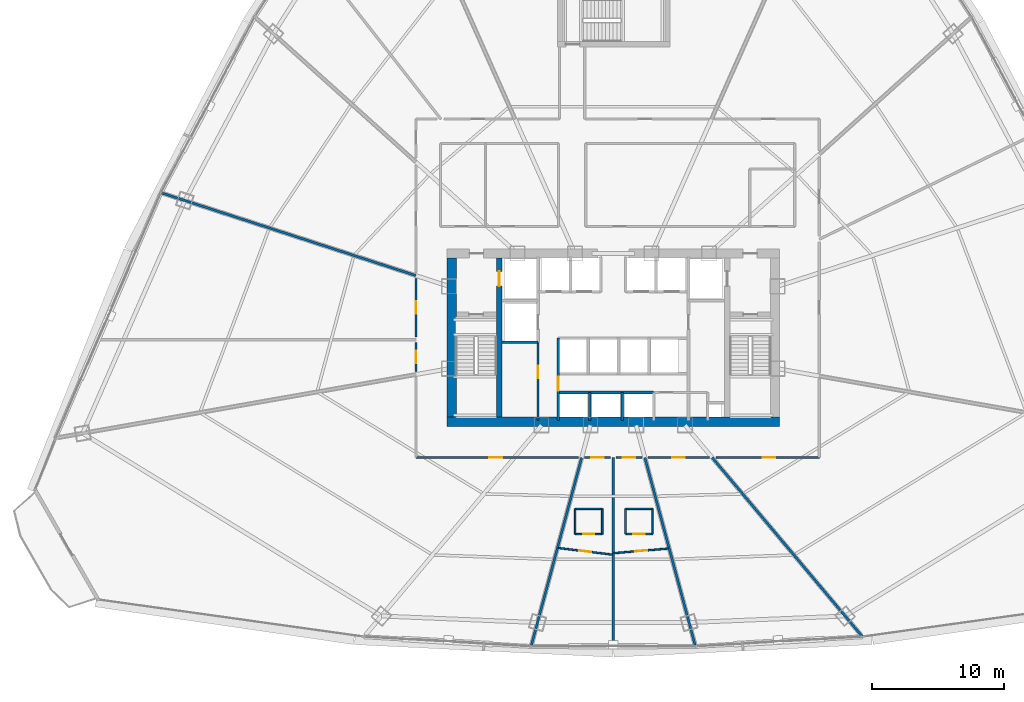
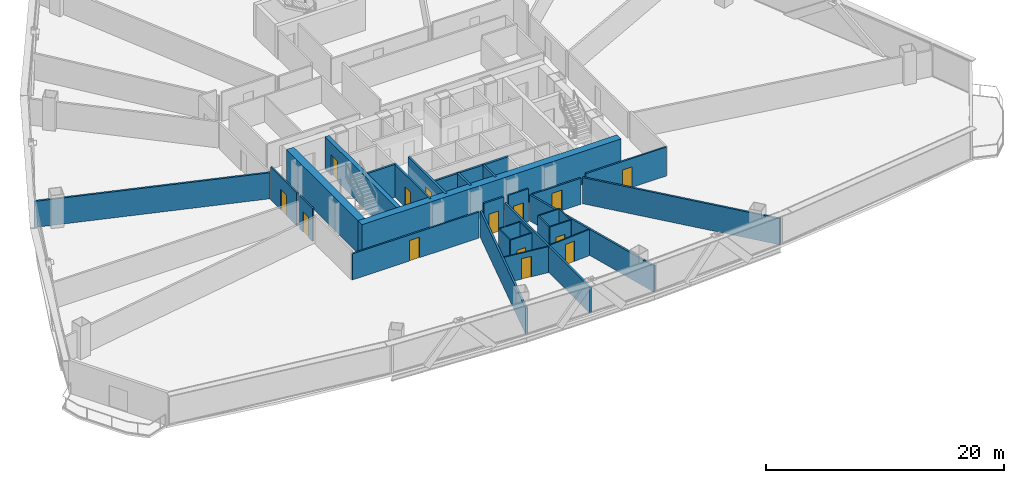
# One storey, part 30 of 38: 31 walls, 14 doors, 14 openings.
"""IFC4 building model written with IfcOpenShell, lengths in metres."""

from ifc_helpers import new_model, si_unit, direction, frame, frame_2d, origin, origin_with_axes, place, context, subcontext, project, spatial, rectangle, extrude, source, transform, mapped, material, layer, layer_set, type_object, element, fill, save


model = new_model("IFC4")

# Units and contexts
model_context = context("Model", 3, precision=1e-05, world=origin(), true_north=direction((0.0, 1.0)))
body_context = subcontext(model_context, "Body", "Model", "MODEL_VIEW")
ifc_project = project(units=[si_unit("LENGTHUNIT", "METRE"), si_unit("AREAUNIT", "SQUARE_METRE"), si_unit("VOLUMEUNIT", "CUBIC_METRE"), si_unit("PLANEANGLEUNIT", "RADIAN"), si_unit("MASSUNIT", "GRAM", prefix="KILO"), si_unit("THERMODYNAMICTEMPERATUREUNIT", "KELVIN"), si_unit("POWERUNIT", "WATT")], contexts=[model_context])

# Site, building, storey
site_placement = place(None, origin())
site = spatial("IfcSite", under=ifc_project, at=site_placement, CompositionType="ELEMENT")
building_placement = place(site_placement, origin())
building = spatial("IfcBuilding", under=site, at=building_placement, Name="Yunzhuo Pagoda Commons", CompositionType="ELEMENT")
storey_placement = place(building_placement, frame((0.0, 0.0, 37.659912109375)))
storey = spatial("IfcBuildingStorey", under=building, at=storey_placement, Name="L09", CompositionType="ELEMENT", Elevation=37.659912109375)

# Walls
ifc_material_1 = material(Name="Concrete C60", Category="concrete")
ifc_layer_1 = layer(ifc_material_1, 0.699951171875)
ifc_layer_set_1 = layer_set([ifc_layer_1], Name="Concrete C60")
wall_type_1 = type_object("IfcWallType", Name="W-C01 Lower Core Shear Wall 700", PredefinedType="SHEAR", material=ifc_layer_set_1)
wall_1_placement = place(storey_placement, frame((35.449951171875, 27.5, 0.0), z_axis=(0.0, 0.0, 1.0), x_axis=(1.0, 0.0, 0.0)))
element("IfcWall", 1, at=wall_1_placement, inside=storey, type_object=wall_type_1, Name="L09 core shear wall S", PredefinedType="SHEAR", context=body_context, shape_type="SweptSolid", body=[
    extrude(rectangle(XDim=25.10009765625, YDim=0.699951171875, at=frame_2d((12.550048828125, 0.0))), origin(), (0.0, 0.0, 1.0), 3.3701171875),
])
wall_2_placement = place(storey_placement, frame((35.800048828125, 27.85009765625, 0.0), z_axis=(0.0, 0.0, 1.0), x_axis=(0.0, 1.0, 0.0)))
element("IfcWall", 2, at=wall_2_placement, inside=storey, type_object=wall_type_1, Name="L09 core shear wall W", PredefinedType="SHEAR", context=body_context, shape_type="SweptSolid", body=[
    extrude(rectangle(XDim=12.0, YDim=0.699951171875, at=frame_2d((6.0, 0.0))), origin(), (0.0, 0.0, 1.0), 3.3701171875),
])

# Wall, opening, door
ifc_material_2 = material(Name="Gypsum plasterboard on acoustic stud")
ifc_layer_2 = layer(ifc_material_2, 0.159912109375)
ifc_layer_set_2 = layer_set([ifc_layer_2], Name="Gypsum plasterboard on acoustic stud")
wall_type_2 = type_object("IfcWallType", Name="W-COR1 Tower Rated Corridor Wall 160", PredefinedType="PARTITIONING", material=ifc_layer_set_2)
wall_3_placement = place(storey_placement, frame((42.320068359375, 27.60009765625, 0.0), z_axis=(0.0, 0.0, 1.0), x_axis=(0.0, 1.0, 0.0)))
wall_3 = element("IfcWall", 3, at=wall_3_placement, inside=storey, type_object=wall_type_2, Name="L09 interior wall IW-L09-CSWE", PredefinedType="PARTITIONING", context=body_context, shape_type="SweptSolid", body=[
    extrude(rectangle(XDim=5.89990234375, YDim=0.159912109375, at=frame_2d((2.949951171875, 0.0))), origin(), (0.0, 0.0, 1.0), 3.3701171875),
])
opening_1_placement = place(wall_3_placement, frame((3.199951171875, 0.0, 0.0)))
opening_1 = element("IfcOpeningElement", 4, at=opening_1_placement, cuts=wall_3, Name="Opening D-11", PredefinedType="OPENING", context=body_context, shape_type="SweptSolid", body=[
    extrude(rectangle(XDim=0.93994140625, YDim=2.10009765625, at=frame_2d((0.469970703125, 1.050048828125))), frame((0.0, 0.08984375, 0.0), z_axis=(0.0, -1.0, 0.0), x_axis=(1.0, 0.0, 0.0)), (0.0, 0.0, 1.0), 0.179931640625),
])
ifc_material_3 = material(Name="Galvanized fire-resisting metal leaf")
door_type_1 = type_object("IfcDoorType", Name="D-11 Accessible Washroom Fire Door 940x2100", OperationType="NOTDEFINED", PredefinedType="DOOR", material=ifc_material_3)
shared_shape_1 = source(origin(), body_context, "Body", "SweptSolid", [
    extrude(rectangle(XDim=0.93994140625, YDim=2.10009765625, at=frame_2d((0.469970703125, 1.050048828125))), frame((0.0, 0.02490234375, 0.0), z_axis=(0.0, -1.0, 0.0), x_axis=(1.0, 0.0, 0.0)), (0.0, 0.0, 1.0), 0.050048828125),
])
door_1_placement = place(opening_1_placement, origin_with_axes())
door_1 = element("IfcDoor", 5, at=door_1_placement, inside=storey, type_object=door_type_1, Name="L09 core WC door", OperationType="SINGLE_SWING_LEFT", OverallHeight=2.10009765625, OverallWidth=0.93994140625, PredefinedType="DOOR", context=body_context, shape_type="MappedRepresentation", body=[
    mapped(shared_shape_1, transform((0.0, 0.0, 0.0), scale=1.0)),
])
fill(opening_1, door_1)

wall_4_placement = place(storey_placement, frame((33.10009765625, 31.29248046875, 0.0), z_axis=(0.0, 0.0, 1.0), x_axis=(0.0, 1.0, 0.0)))
wall_4 = element("IfcWall", 6, at=wall_4_placement, inside=storey, type_object=wall_type_2, Name="L09 interior wall IW-L09-CWL02", PredefinedType="PARTITIONING", context=body_context, shape_type="SweptSolid", body=[
    extrude(rectangle(XDim=2.1875, YDim=0.159912109375, at=frame_2d((1.09375, 0.0))), origin(), (0.0, 0.0, 1.0), 3.3701171875),
])
opening_2_placement = place(wall_4_placement, frame((0.618896484375, 0.0, 0.0)))
opening_2 = element("IfcOpeningElement", 7, at=opening_2_placement, cuts=wall_4, Name="Opening D-06", PredefinedType="OPENING", context=body_context, shape_type="SweptSolid", body=[
    extrude(rectangle(XDim=0.949951171875, YDim=2.10009765625, at=frame_2d((0.47509765625, 1.050048828125))), frame((0.0, 0.08984375, 0.0), z_axis=(0.0, -1.0, 0.0), x_axis=(1.0, 0.0, 0.0)), (0.0, 0.0, 1.0), 0.179931640625),
])
door_type_2 = type_object("IfcDoorType", Name="D-06 Co-Living Suite Entrance Fire Door 950x2100", OperationType="NOTDEFINED", PredefinedType="DOOR", material=ifc_material_3)
shared_shape_2 = source(origin(), body_context, "Body", "SweptSolid", [
    extrude(rectangle(XDim=0.949951171875, YDim=2.10009765625, at=frame_2d((0.47509765625, 1.050048828125))), frame((0.0, 0.02490234375, 0.0), z_axis=(0.0, -1.0, 0.0), x_axis=(1.0, 0.0, 0.0)), (0.0, 0.0, 1.0), 0.050048828125),
])
door_2_placement = place(opening_2_placement, origin_with_axes())
door_2 = element("IfcDoor", 8, at=door_2_placement, inside=storey, type_object=door_type_2, Name="L09 unit 09 entrance door", OperationType="SINGLE_SWING_LEFT", OverallHeight=2.10009765625, OverallWidth=0.949951171875, PredefinedType="DOOR", context=body_context, shape_type="MappedRepresentation", body=[
    mapped(shared_shape_2, transform((0.0, 0.0, 0.0), scale=1.0)),
])
fill(opening_2, door_2)

wall_5_placement = place(storey_placement, frame((33.10009765625, 33.919921875, 0.0), z_axis=(0.0, 0.0, 1.0), x_axis=(0.0, 1.0, 0.0)))
wall_5 = element("IfcWall", 9, at=wall_5_placement, inside=storey, type_object=wall_type_2, Name="L09 interior wall IW-L09-CWL03", PredefinedType="PARTITIONING", context=body_context, shape_type="SweptSolid", body=[
    extrude(rectangle(XDim=4.401611328125, YDim=0.159912109375, at=frame_2d((2.20068359375, 0.0))), origin(), (0.0, 0.0, 1.0), 3.3701171875),
])
opening_3_placement = place(wall_5_placement, frame((1.7255859375, 0.0, 0.0)))
opening_3 = element("IfcOpeningElement", 10, at=opening_3_placement, cuts=wall_5, Name="Opening D-06", PredefinedType="OPENING", context=body_context, shape_type="SweptSolid", body=[
    extrude(rectangle(XDim=0.949951171875, YDim=2.10009765625, at=frame_2d((0.47509765625, 1.050048828125))), frame((0.0, 0.08984375, 0.0), z_axis=(0.0, -1.0, 0.0), x_axis=(1.0, 0.0, 0.0)), (0.0, 0.0, 1.0), 0.179931640625),
])
door_3_placement = place(opening_3_placement, origin_with_axes())
door_3 = element("IfcDoor", 11, at=door_3_placement, inside=storey, type_object=door_type_2, Name="L09 unit 08 entrance door", OperationType="SINGLE_SWING_RIGHT", OverallHeight=2.10009765625, OverallWidth=0.949951171875, PredefinedType="DOOR", context=body_context, shape_type="MappedRepresentation", body=[
    mapped(shared_shape_2, transform((0.0, 0.0, 0.0), scale=1.0)),
])
fill(opening_3, door_3)

wall_6_placement = place(storey_placement, frame((63.550048828125, 24.800048828125, 0.0), z_axis=(0.0, 0.0, 1.0), x_axis=(-1.0, 0.0, 0.0)))
wall_6 = element("IfcWall", 12, at=wall_6_placement, inside=storey, type_object=wall_type_2, Name="L09 interior wall IW-L09-CWL17", PredefinedType="PARTITIONING", context=body_context, shape_type="SweptSolid", body=[
    extrude(rectangle(XDim=7.794921875, YDim=0.159912109375, at=frame_2d((3.8974609375, 0.0))), origin(), (0.0, 0.0, 1.0), 2.969970703125),
])
opening_4_placement = place(wall_6_placement, frame((3.3359375, 0.0, 0.0)))
opening_4 = element("IfcOpeningElement", 13, at=opening_4_placement, cuts=wall_6, Name="Opening D-06", PredefinedType="OPENING", context=body_context, shape_type="SweptSolid", body=[
    extrude(rectangle(XDim=0.949951171875, YDim=2.10009765625, at=frame_2d((0.47509765625, 1.050048828125))), frame((0.0, 0.08984375, 0.0), z_axis=(0.0, -1.0, 0.0), x_axis=(1.0, 0.0, 0.0)), (0.0, 0.0, 1.0), 0.179931640625),
])
door_4_placement = place(opening_4_placement, origin_with_axes())
door_4 = element("IfcDoor", 14, at=door_4_placement, inside=storey, type_object=door_type_2, Name="L09 unit 14 entrance door", OperationType="SINGLE_SWING_RIGHT", OverallHeight=2.10009765625, OverallWidth=0.949951171875, PredefinedType="DOOR", context=body_context, shape_type="MappedRepresentation", body=[
    mapped(shared_shape_2, transform((0.0, 0.0, 0.0), scale=1.0)),
])
fill(opening_4, door_4)

wall_7_placement = place(storey_placement, frame((55.248046875, 24.800048828125, 0.0), z_axis=(0.0, 0.0, 1.0), x_axis=(-1.0, 0.0, 0.0)))
wall_7 = element("IfcWall", 15, at=wall_7_placement, inside=storey, type_object=wall_type_2, Name="L09 interior wall IW-L09-CWL18", PredefinedType="PARTITIONING", context=body_context, shape_type="SweptSolid", body=[
    extrude(rectangle(XDim=4.635498046875, YDim=0.159912109375, at=frame_2d((2.31787109375, 0.0))), origin(), (0.0, 0.0, 1.0), 2.670166015625),
])
opening_5_placement = place(wall_7_placement, frame((1.8466796875, 0.0, 0.0)))
opening_5 = element("IfcOpeningElement", 16, at=opening_5_placement, cuts=wall_7, Name="Opening D-06", PredefinedType="OPENING", context=body_context, shape_type="SweptSolid", body=[
    extrude(rectangle(XDim=0.949951171875, YDim=2.10009765625, at=frame_2d((0.47509765625, 1.050048828125))), frame((0.0, 0.08984375, 0.0), z_axis=(0.0, -1.0, 0.0), x_axis=(1.0, 0.0, 0.0)), (0.0, 0.0, 1.0), 0.179931640625),
])
door_5_placement = place(opening_5_placement, origin_with_axes())
door_5 = element("IfcDoor", 17, at=door_5_placement, inside=storey, type_object=door_type_2, Name="L09 unit 13 entrance door", OperationType="SINGLE_SWING_LEFT", OverallHeight=2.10009765625, OverallWidth=0.949951171875, PredefinedType="DOOR", context=body_context, shape_type="MappedRepresentation", body=[
    mapped(shared_shape_2, transform((0.0, 0.0, 0.0), scale=1.0)),
])
fill(opening_5, door_5)

wall_8_placement = place(storey_placement, frame((50.164794921875, 24.800048828125, 0.0), z_axis=(0.0, 0.0, 1.0), x_axis=(-1.0, 0.0, 0.0)))
wall_8 = element("IfcWall", 18, at=wall_8_placement, inside=storey, type_object=wall_type_2, Name="L09 interior wall IW-L09-CWL19", PredefinedType="PARTITIONING", context=body_context, shape_type="SweptSolid", body=[
    extrude(rectangle(XDim=1.94482421875, YDim=0.159912109375, at=frame_2d((0.972412109375, 0.0))), origin(), (0.0, 0.0, 1.0), 3.3701171875),
])
opening_6_placement = place(wall_8_placement, frame((0.49755859375, 0.0, 0.0)))
opening_6 = element("IfcOpeningElement", 19, at=opening_6_placement, cuts=wall_8, Name="Opening D-06", PredefinedType="OPENING", context=body_context, shape_type="SweptSolid", body=[
    extrude(rectangle(XDim=0.949951171875, YDim=2.10009765625, at=frame_2d((0.47509765625, 1.050048828125))), frame((0.0, 0.08984375, 0.0), z_axis=(0.0, -1.0, 0.0), x_axis=(1.0, 0.0, 0.0)), (0.0, 0.0, 1.0), 0.179931640625),
])
door_6_placement = place(opening_6_placement, origin_with_axes())
door_6 = element("IfcDoor", 20, at=door_6_placement, inside=storey, type_object=door_type_2, Name="L09 unit 12 entrance door", OperationType="SINGLE_SWING_RIGHT", OverallHeight=2.10009765625, OverallWidth=0.949951171875, PredefinedType="DOOR", context=body_context, shape_type="MappedRepresentation", body=[
    mapped(shared_shape_2, transform((0.0, 0.0, 0.0), scale=1.0)),
])
fill(opening_6, door_6)

wall_9_placement = place(storey_placement, frame((47.780029296875, 24.800048828125, 0.0), z_axis=(0.0, 0.0, 1.0), x_axis=(-1.0, 0.0, 0.0)))
wall_9 = element("IfcWall", 21, at=wall_9_placement, inside=storey, type_object=wall_type_2, Name="L09 interior wall IW-L09-CWL20", PredefinedType="PARTITIONING", context=body_context, shape_type="SweptSolid", body=[
    extrude(rectangle(XDim=1.94482421875, YDim=0.159912109375, at=frame_2d((0.972412109375, 0.0))), origin(), (0.0, 0.0, 1.0), 3.3701171875),
])
opening_7_placement = place(wall_9_placement, frame((0.497314453125, 0.0, 0.0)))
opening_7 = element("IfcOpeningElement", 22, at=opening_7_placement, cuts=wall_9, Name="Opening D-06", PredefinedType="OPENING", context=body_context, shape_type="SweptSolid", body=[
    extrude(rectangle(XDim=0.949951171875, YDim=2.10009765625, at=frame_2d((0.47509765625, 1.050048828125))), frame((0.0, 0.08984375, 0.0), z_axis=(0.0, -1.0, 0.0), x_axis=(1.0, 0.0, 0.0)), (0.0, 0.0, 1.0), 0.179931640625),
])
door_7_placement = place(opening_7_placement, origin_with_axes())
door_7 = element("IfcDoor", 23, at=door_7_placement, inside=storey, type_object=door_type_2, Name="L09 unit 11 entrance door", OperationType="SINGLE_SWING_LEFT", OverallHeight=2.10009765625, OverallWidth=0.949951171875, PredefinedType="DOOR", context=body_context, shape_type="MappedRepresentation", body=[
    mapped(shared_shape_2, transform((0.0, 0.0, 0.0), scale=1.0)),
])
fill(opening_7, door_7)

wall_10_placement = place(storey_placement, frame((45.387451171875, 24.800048828125, 0.0), z_axis=(0.0, 0.0, 1.0), x_axis=(-1.0, 0.0, 0.0)))
wall_10 = element("IfcWall", 24, at=wall_10_placement, inside=storey, type_object=wall_type_2, Name="L09 interior wall IW-L09-CWL21", PredefinedType="PARTITIONING", context=body_context, shape_type="SweptSolid", body=[
    extrude(rectangle(XDim=12.287353515625, YDim=0.159912109375, at=frame_2d((6.1435546875, 0.0))), origin(), (0.0, 0.0, 1.0), 2.670166015625),
])
opening_8_placement = place(wall_10_placement, frame((5.784912109375, 0.0, 0.0)))
opening_8 = element("IfcOpeningElement", 25, at=opening_8_placement, cuts=wall_10, Name="Opening D-06", PredefinedType="OPENING", context=body_context, shape_type="SweptSolid", body=[
    extrude(rectangle(XDim=0.949951171875, YDim=2.10009765625, at=frame_2d((0.47509765625, 1.050048828125))), frame((0.0, 0.08984375, 0.0), z_axis=(0.0, -1.0, 0.0), x_axis=(1.0, 0.0, 0.0)), (0.0, 0.0, 1.0), 0.179931640625),
])
door_8_placement = place(opening_8_placement, origin_with_axes())
door_8 = element("IfcDoor", 26, at=door_8_placement, inside=storey, type_object=door_type_2, Name="L09 Resident Co-Living Commons Hall door", OperationType="SINGLE_SWING_RIGHT", OverallHeight=2.10009765625, OverallWidth=0.949951171875, PredefinedType="DOOR", context=body_context, shape_type="MappedRepresentation", body=[
    mapped(shared_shape_2, transform((0.0, 0.0, 0.0), scale=1.0)),
])
fill(opening_8, door_8)

ifc_layer_3 = layer(ifc_material_2, 0.1201171875)
ifc_layer_set_3 = layer_set([ifc_layer_3], Name="Gypsum plasterboard on acoustic stud")
wall_type_3 = type_object("IfcWallType", Name="W-PRT1 Suite & Bathroom Partition 120", PredefinedType="PARTITIONING", material=ifc_layer_set_3)
wall_11_placement = place(storey_placement, frame((45.115966796875, 19.028076171875, 0.0), z_axis=(0.0, 0.0, 1.0), x_axis=(1.0, 0.0, 0.0)))
wall_11 = element("IfcWall", 27, at=wall_11_placement, inside=storey, type_object=wall_type_3, Name="L09 interior wall IW-L09-B11S", PredefinedType="PARTITIONING", context=body_context, shape_type="SweptSolid", body=[
    extrude(rectangle(XDim=2.050048828125, YDim=0.1201171875, at=frame_2d((1.02490234375, 0.0))), origin(), (0.0, 0.0, 1.0), 3.3701171875),
])
opening_9_placement = place(wall_11_placement, frame((0.60009765625, 0.0, 0.0)))
opening_9 = element("IfcOpeningElement", 28, at=opening_9_placement, cuts=wall_11, Name="Opening D-05", PredefinedType="OPENING", context=body_context, shape_type="SweptSolid", body=[
    extrude(rectangle(XDim=0.85009765625, YDim=2.10009765625, at=frame_2d((0.425048828125, 1.050048828125))), frame((0.0, 0.070068359375, 0.0), z_axis=(0.0, -1.0, 0.0), x_axis=(1.0, 0.0, 0.0)), (0.0, 0.0, 1.0), 0.14013671875),
])
ifc_material_4 = material(Name="Powder-coated aluminium and timber acoustic leaf", Category="wood")
door_type_3 = type_object("IfcDoorType", Name="D-05 En-Suite Bathroom Door 850x2100", OperationType="NOTDEFINED", PredefinedType="DOOR", material=ifc_material_4)
shared_shape_3 = source(origin(), body_context, "Body", "SweptSolid", [
    extrude(rectangle(XDim=0.85009765625, YDim=2.10009765625, at=frame_2d((0.425048828125, 1.050048828125))), frame((0.0, 0.02490234375, 0.0), z_axis=(0.0, -1.0, 0.0), x_axis=(1.0, 0.0, 0.0)), (0.0, 0.0, 1.0), 0.050048828125),
])
door_9_placement = place(opening_9_placement, frame((0.85009765625, 0.0, 0.0), z_axis=(0.0, 0.0, 1.0), x_axis=(-1.0, 0.0, 0.0)))
door_9 = element("IfcDoor", 29, at=door_9_placement, inside=storey, type_object=door_type_3, Name="L09 unit 11 bathroom door", OperationType="SINGLE_SWING_LEFT", OverallHeight=2.10009765625, OverallWidth=0.85009765625, PredefinedType="DOOR", context=body_context, shape_type="MappedRepresentation", body=[
    mapped(shared_shape_3, transform((0.0, 0.0, 0.0), scale=1.0)),
])
fill(opening_9, door_9)

# Walls
wall_12_placement = place(storey_placement, frame((47.166015625, 19.028076171875, 0.0), z_axis=(0.0, 0.0, 1.0), x_axis=(0.0, 1.0, 0.0)))
element("IfcWall", 30, at=wall_12_placement, inside=storey, type_object=wall_type_3, Name="L09 interior wall IW-L09-B11E", PredefinedType="PARTITIONING", context=body_context, shape_type="SweptSolid", body=[
    extrude(rectangle(XDim=1.89990234375, YDim=0.1201171875, at=frame_2d((0.949951171875, 0.0))), origin(), (0.0, 0.0, 1.0), 3.3701171875),
])
wall_13_placement = place(storey_placement, frame((47.166015625, 20.927978515625, 0.0), z_axis=(0.0, 0.0, 1.0), x_axis=(-1.0, 0.0, 0.0)))
element("IfcWall", 31, at=wall_13_placement, inside=storey, type_object=wall_type_3, Name="L09 interior wall IW-L09-B11N", PredefinedType="PARTITIONING", context=body_context, shape_type="SweptSolid", body=[
    extrude(rectangle(XDim=2.050048828125, YDim=0.1201171875, at=frame_2d((1.02490234375, 0.0))), origin(), (0.0, 0.0, 1.0), 3.3701171875),
])
wall_14_placement = place(storey_placement, frame((45.115966796875, 20.927978515625, 0.0), z_axis=(0.0, 0.0, 1.0), x_axis=(0.0, -1.0, 0.0)))
element("IfcWall", 32, at=wall_14_placement, inside=storey, type_object=wall_type_3, Name="L09 interior wall IW-L09-B11W", PredefinedType="PARTITIONING", context=body_context, shape_type="SweptSolid", body=[
    extrude(rectangle(XDim=1.89990234375, YDim=0.1201171875, at=frame_2d((0.949951171875, 0.0))), origin(), (0.0, 0.0, 1.0), 3.3701171875),
])

# Wall, opening, door
wall_15_placement = place(storey_placement, frame((43.85009765625, 17.980712890625, 0.0), z_axis=(0.0, 0.0, 1.0), x_axis=(0.992487897066, -0.122342855029, 0.0)))
wall_15 = element("IfcWall", 33, at=wall_15_placement, inside=storey, type_object=wall_type_3, Name="L09 interior wall IW-L09-CLB11", PredefinedType="PARTITIONING", context=body_context, shape_type="SweptSolid", body=[
    extrude(rectangle(XDim=4.120849609375, YDim=0.1201171875, at=frame_2d((2.060546875, 0.0))), origin(), (0.0, 0.0, 1.0), 2.670166015625),
])
opening_10_placement = place(wall_15_placement, frame((1.600341796875, 0.0, 0.0)))
opening_10 = element("IfcOpeningElement", 34, at=opening_10_placement, cuts=wall_15, Name="Opening D-04", PredefinedType="OPENING", context=body_context, shape_type="SweptSolid", body=[
    extrude(rectangle(XDim=0.919921875, YDim=2.10009765625, at=frame_2d((0.4599609375, 1.050048828125))), frame((0.0, 0.070068359375, 0.0), z_axis=(0.0, -1.0, 0.0), x_axis=(1.0, 0.0, 0.0)), (0.0, 0.0, 1.0), 0.14013671875),
])
door_type_4 = type_object("IfcDoorType", Name="D-04 Bedroom & Study Interior Door 920x2100", OperationType="NOTDEFINED", PredefinedType="DOOR", material=ifc_material_4)
shared_shape_4 = source(origin(), body_context, "Body", "SweptSolid", [
    extrude(rectangle(XDim=0.919921875, YDim=2.10009765625, at=frame_2d((0.4599609375, 1.050048828125))), frame((0.0, 0.02490234375, 0.0), z_axis=(0.0, -1.0, 0.0), x_axis=(1.0, 0.0, 0.0)), (0.0, 0.0, 1.0), 0.050048828125),
])
door_10_placement = place(opening_10_placement, origin_with_axes())
door_10 = element("IfcDoor", 35, at=door_10_placement, inside=storey, type_object=door_type_4, Name="L09 suite 11 bedroom door", OperationType="SINGLE_SWING_LEFT", OverallHeight=2.10009765625, OverallWidth=0.919921875, PredefinedType="DOOR", context=body_context, shape_type="MappedRepresentation", body=[
    mapped(shared_shape_4, transform((0.0, 0.0, 0.0), scale=1.0)),
])
fill(opening_10, door_10)

wall_16_placement = place(storey_placement, frame((48.924072265625, 19.037109375, 0.0), z_axis=(0.0, 0.0, 1.0), x_axis=(1.0, 0.0, 0.0)))
wall_16 = element("IfcWall", 36, at=wall_16_placement, inside=storey, type_object=wall_type_3, Name="L09 interior wall IW-L09-B12S", PredefinedType="PARTITIONING", context=body_context, shape_type="SweptSolid", body=[
    extrude(rectangle(XDim=2.050048828125, YDim=0.1201171875, at=frame_2d((1.02490234375, 0.0))), origin(), (0.0, 0.0, 1.0), 3.3701171875),
])
opening_11_placement = place(wall_16_placement, frame((0.60009765625, 0.0, 0.0)))
opening_11 = element("IfcOpeningElement", 37, at=opening_11_placement, cuts=wall_16, Name="Opening D-05", PredefinedType="OPENING", context=body_context, shape_type="SweptSolid", body=[
    extrude(rectangle(XDim=0.85009765625, YDim=2.10009765625, at=frame_2d((0.425048828125, 1.050048828125))), frame((0.0, 0.070068359375, 0.0), z_axis=(0.0, -1.0, 0.0), x_axis=(1.0, 0.0, 0.0)), (0.0, 0.0, 1.0), 0.14013671875),
])
door_11_placement = place(opening_11_placement, frame((0.85009765625, 0.0, 0.0), z_axis=(0.0, 0.0, 1.0), x_axis=(-1.0, 0.0, 0.0)))
door_11 = element("IfcDoor", 38, at=door_11_placement, inside=storey, type_object=door_type_3, Name="L09 unit 12 bathroom door", OperationType="SINGLE_SWING_RIGHT", OverallHeight=2.10009765625, OverallWidth=0.85009765625, PredefinedType="DOOR", context=body_context, shape_type="MappedRepresentation", body=[
    mapped(shared_shape_3, transform((0.0, 0.0, 0.0), scale=1.0)),
])
fill(opening_11, door_11)

# Walls
wall_17_placement = place(storey_placement, frame((50.97412109375, 19.037109375, 0.0), z_axis=(0.0, 0.0, 1.0), x_axis=(0.0, 1.0, 0.0)))
element("IfcWall", 39, at=wall_17_placement, inside=storey, type_object=wall_type_3, Name="L09 interior wall IW-L09-B12E", PredefinedType="PARTITIONING", context=body_context, shape_type="SweptSolid", body=[
    extrude(rectangle(XDim=1.89990234375, YDim=0.1201171875, at=frame_2d((0.949951171875, 0.0))), origin(), (0.0, 0.0, 1.0), 3.3701171875),
])
wall_18_placement = place(storey_placement, frame((50.97412109375, 20.93701171875, 0.0), z_axis=(0.0, 0.0, 1.0), x_axis=(-1.0, 0.0, 0.0)))
element("IfcWall", 40, at=wall_18_placement, inside=storey, type_object=wall_type_3, Name="L09 interior wall IW-L09-B12N", PredefinedType="PARTITIONING", context=body_context, shape_type="SweptSolid", body=[
    extrude(rectangle(XDim=2.050048828125, YDim=0.1201171875, at=frame_2d((1.02490234375, 0.0))), origin(), (0.0, 0.0, 1.0), 3.3701171875),
])
wall_19_placement = place(storey_placement, frame((48.924072265625, 20.93701171875, 0.0), z_axis=(0.0, 0.0, 1.0), x_axis=(0.0, -1.0, 0.0)))
element("IfcWall", 41, at=wall_19_placement, inside=storey, type_object=wall_type_3, Name="L09 interior wall IW-L09-B12W", PredefinedType="PARTITIONING", context=body_context, shape_type="SweptSolid", body=[
    extrude(rectangle(XDim=1.89990234375, YDim=0.1201171875, at=frame_2d((0.949951171875, 0.0))), origin(), (0.0, 0.0, 1.0), 3.3701171875),
])

# Wall, opening, door
wall_20_placement = place(storey_placement, frame((48.06005859375, 17.591796875, 0.0), z_axis=(0.0, 0.0, 1.0), x_axis=(0.996481649932, 0.083811224485, 0.0)))
wall_20 = element("IfcWall", 42, at=wall_20_placement, inside=storey, type_object=wall_type_3, Name="L09 interior wall IW-L09-CLB12", PredefinedType="PARTITIONING", context=body_context, shape_type="SweptSolid", body=[
    extrude(rectangle(XDim=4.115966796875, YDim=0.1201171875, at=frame_2d((2.05810546875, 0.0))), origin(), (0.0, 0.0, 1.0), 2.670166015625),
])
opening_12_placement = place(wall_20_placement, frame((1.59814453125, 0.0, 0.0)))
opening_12 = element("IfcOpeningElement", 43, at=opening_12_placement, cuts=wall_20, Name="Opening D-04", PredefinedType="OPENING", context=body_context, shape_type="SweptSolid", body=[
    extrude(rectangle(XDim=0.919921875, YDim=2.10009765625, at=frame_2d((0.4599609375, 1.050048828125))), frame((0.0, 0.070068359375, 0.0), z_axis=(0.0, -1.0, 0.0), x_axis=(1.0, 0.0, 0.0)), (0.0, 0.0, 1.0), 0.14013671875),
])
door_12_placement = place(opening_12_placement, origin_with_axes())
door_12 = element("IfcDoor", 44, at=door_12_placement, inside=storey, type_object=door_type_4, Name="L09 suite 12 bedroom door", OperationType="SINGLE_SWING_RIGHT", OverallHeight=2.10009765625, OverallWidth=0.919921875, PredefinedType="DOOR", context=body_context, shape_type="MappedRepresentation", body=[
    mapped(shared_shape_4, transform((0.0, 0.0, 0.0), scale=1.0)),
])
fill(opening_12, door_12)

# Walls
ifc_layer_4 = layer(ifc_material_2, 0.179931640625)
ifc_layer_set_4 = layer_set([ifc_layer_4], Name="Gypsum plasterboard on acoustic stud")
wall_type_4 = type_object("IfcWallType", Name="W-PRT2 Acoustic Unit Demising Wall 180", PredefinedType="PARTITIONING", material=ifc_layer_set_4)
wall_21_placement = place(storey_placement, frame((33.10009765625, 38.541259765625, 0.0), z_axis=(0.0, 0.0, 1.0), x_axis=(-0.951056237035, 0.309017853848, 0.0)))
element("IfcWall", 45, at=wall_21_placement, inside=storey, type_object=wall_type_4, Name="L09 interior wall IW-L09-RAD07", PredefinedType="PARTITIONING", context=body_context, shape_type="SweptSolid", body=[
    extrude(rectangle(XDim=20.23095703125, YDim=0.179931640625, at=frame_2d((10.115478515625, 0.0))), origin(), (0.0, 0.0, 1.0), 2.670166015625),
])
wall_22_placement = place(storey_placement, frame((45.615234375, 24.800048828125, 0.0), z_axis=(0.0, 0.0, 1.0), x_axis=(-0.258822100979, -0.965925007464, 0.0)))
element("IfcWall", 46, at=wall_22_placement, inside=storey, type_object=wall_type_4, Name="L09 interior wall IW-L09-RAD10", PredefinedType="PARTITIONING", context=body_context, shape_type="SweptSolid", body=[
    extrude(rectangle(XDim=14.754638671875, YDim=0.179931640625, at=frame_2d((7.37744140625, 0.0))), origin(), (0.0, 0.0, 1.0), 2.670166015625),
])
wall_23_placement = place(storey_placement, frame((48.0, 24.800048828125, 0.0), z_axis=(0.0, 0.0, 1.0), x_axis=(0.0, -1.0, 0.0)))
element("IfcWall", 47, at=wall_23_placement, inside=storey, type_object=wall_type_4, Name="L09 interior wall IW-L09-RAD11", PredefinedType="PARTITIONING", context=body_context, shape_type="SweptSolid", body=[
    extrude(rectangle(XDim=14.251953125, YDim=0.179931640625, at=frame_2d((7.1259765625, 0.0))), origin(), (0.0, 0.0, 1.0), 2.670166015625),
])
wall_24_placement = place(storey_placement, frame((50.384765625, 24.800048828125, 0.0), z_axis=(0.0, 0.0, 1.0), x_axis=(0.258822100979, -0.965925007464, 0.0)))
element("IfcWall", 48, at=wall_24_placement, inside=storey, type_object=wall_type_4, Name="L09 interior wall IW-L09-RAD12", PredefinedType="PARTITIONING", context=body_context, shape_type="SweptSolid", body=[
    extrude(rectangle(XDim=14.754638671875, YDim=0.179931640625, at=frame_2d((7.37744140625, 0.0))), origin(), (0.0, 0.0, 1.0), 2.670166015625),
])
wall_25_placement = place(storey_placement, frame((55.468017578125, 24.800048828125, 0.0), z_axis=(0.0, 0.0, 1.0), x_axis=(0.642784869497, -0.766046742403, 0.0)))
element("IfcWall", 49, at=wall_25_placement, inside=storey, type_object=wall_type_4, Name="L09 interior wall IW-L09-RAD13", PredefinedType="PARTITIONING", context=body_context, shape_type="SweptSolid", body=[
    extrude(rectangle(XDim=17.649658203125, YDim=0.179931640625, at=frame_2d((8.82470703125, 0.0))), origin(), (0.0, 0.0, 1.0), 2.670166015625),
])

# Wall, opening, door
ifc_layer_5 = layer(ifc_material_1, 0.39990234375)
ifc_layer_set_5 = layer_set([ifc_layer_5], Name="Concrete C60")
wall_type_5 = type_object("IfcWallType", Name="W-S01 Internal Core Shear Web 400", PredefinedType="SHEAR", material=ifc_layer_set_5)
wall_26_placement = place(storey_placement, frame((39.39990234375, 27.85009765625, 0.0), z_axis=(0.0, 0.0, 1.0), x_axis=(0.0, 1.0, 0.0)))
wall_26 = element("IfcWall", 50, at=wall_26_placement, inside=storey, type_object=wall_type_5, Name="L09 core shear wall WEBW", PredefinedType="SHEAR", context=body_context, shape_type="SweptSolid", body=[
    extrude(rectangle(XDim=12.0, YDim=0.39990234375, at=frame_2d((6.0, 0.0))), origin(), (0.0, 0.0, 1.0), 3.3701171875),
])
opening_13_placement = place(wall_26_placement, frame((9.89990234375, 0.0, 0.0)))
opening_13 = element("IfcOpeningElement", 51, at=opening_13_placement, cuts=wall_26, Name="Opening LD-01", PredefinedType="OPENING", context=body_context, shape_type="SweptSolid", body=[
    extrude(rectangle(XDim=1.10009765625, YDim=2.10009765625, at=frame_2d((0.550048828125, 1.050048828125))), frame((0.0, 0.2099609375, 0.0), z_axis=(0.0, -1.0, 0.0), x_axis=(1.0, 0.0, 0.0)), (0.0, 0.0, 1.0), 0.419921875),
])
door_type_5 = type_object("IfcDoorType", Name="LD-01 Firefighting Lift Landing Door 1100x2100", OperationType="DOUBLE_DOOR_SLIDING", PredefinedType="DOOR", material=ifc_material_3)
shared_shape_5 = source(origin(), body_context, "Body", "SweptSolid", [
    extrude(rectangle(XDim=1.10009765625, YDim=2.10009765625, at=frame_2d((0.550048828125, 1.050048828125))), frame((0.0, 0.02490234375, 0.0), z_axis=(0.0, -1.0, 0.0), x_axis=(1.0, 0.0, 0.0)), (0.0, 0.0, 1.0), 0.050048828125),
])
door_13_placement = place(opening_13_placement, frame((1.10009765625, 0.0, 0.0), z_axis=(0.0, 0.0, 1.0), x_axis=(-1.0, 0.0, 0.0)))
door_13 = element("IfcDoor", 52, at=door_13_placement, inside=storey, type_object=door_type_5, Name="L09 Firefighting lift FL-1 landing door", OperationType="DOUBLE_DOOR_SLIDING", OverallHeight=2.10009765625, OverallWidth=1.10009765625, PredefinedType="DOOR", context=body_context, shape_type="MappedRepresentation", body=[
    mapped(shared_shape_5, transform((0.0, 0.0, 0.0), scale=1.0)),
])
fill(opening_13, door_13)

# Wall
ifc_material_5 = material(Name="Concrete C40", Category="concrete")
ifc_layer_6 = layer(ifc_material_5, 0.199951171875)
ifc_layer_set_6 = layer_set([ifc_layer_6], Name="Concrete C40")
wall_type_6 = type_object("IfcWallType", Name="W-SHF Shaft & Stair Enclosure Wall 200", PredefinedType="SOLIDWALL", material=ifc_layer_set_6)
wall_27_placement = place(storey_placement, frame((39.60009765625, 33.5, 0.0), z_axis=(0.0, 0.0, 1.0), x_axis=(1.0, 0.0, 0.0)))
element("IfcWall", 53, at=wall_27_placement, inside=storey, type_object=wall_type_6, Name="L09 interior wall IW-L09-SL1S", PredefinedType="SOLIDWALL", context=body_context, shape_type="SweptSolid", body=[
    extrude(rectangle(XDim=2.719970703125, YDim=0.199951171875, at=frame_2d((1.35986328125, 0.0))), origin(), (0.0, 0.0, 1.0), 3.3701171875),
])

# Wall, opening, door
wall_28_placement = place(storey_placement, frame((43.85009765625, 27.60009765625, 0.0), z_axis=(0.0, 0.0, 1.0), x_axis=(0.0, 1.0, 0.0)))
wall_28 = element("IfcWall", 54, at=wall_28_placement, inside=storey, type_object=wall_type_6, Name="L09 interior wall IW-L09-PLMW", PredefinedType="SOLIDWALL", context=body_context, shape_type="SweptSolid", body=[
    extrude(rectangle(XDim=6.219970703125, YDim=0.199951171875, at=frame_2d((3.10986328125, 0.0))), origin(), (0.0, 0.0, 1.0), 3.3701171875),
])
opening_14_placement = place(wall_28_placement, frame((2.25, 0.0, 0.0)))
opening_14 = element("IfcOpeningElement", 55, at=opening_14_placement, cuts=wall_28, Name="Opening D-02", PredefinedType="OPENING", context=body_context, shape_type="SweptSolid", body=[
    extrude(rectangle(XDim=1.050048828125, YDim=2.10009765625, at=frame_2d((0.52490234375, 1.050048828125))), frame((0.0, 0.10986328125, 0.0), z_axis=(0.0, -1.0, 0.0), x_axis=(1.0, 0.0, 0.0)), (0.0, 0.0, 1.0), 0.219970703125),
])
door_type_6 = type_object("IfcDoorType", Name="D-02 Firefighting Lobby & Refuge Fire Door 1050x2100", OperationType="NOTDEFINED", PredefinedType="DOOR", material=ifc_material_3)
shared_shape_6 = source(origin(), body_context, "Body", "SweptSolid", [
    extrude(rectangle(XDim=1.050048828125, YDim=2.10009765625, at=frame_2d((0.52490234375, 1.050048828125))), frame((0.0, 0.02490234375, 0.0), z_axis=(0.0, -1.0, 0.0), x_axis=(1.0, 0.0, 0.0)), (0.0, 0.0, 1.0), 0.050048828125),
])
door_14_placement = place(opening_14_placement, frame((1.050048828125, 0.0, 0.0), z_axis=(0.0, 0.0, 1.0), x_axis=(-1.0, 0.0, 0.0)))
door_14 = element("IfcDoor", 56, at=door_14_placement, inside=storey, type_object=door_type_6, Name="L09 High-bank hall west door", OperationType="SINGLE_SWING_LEFT", OverallHeight=2.10009765625, OverallWidth=1.050048828125, PredefinedType="DOOR", context=body_context, shape_type="MappedRepresentation", body=[
    mapped(shared_shape_6, transform((0.0, 0.0, 0.0), scale=1.0)),
])
fill(opening_14, door_14)

# Walls
wall_29_placement = place(storey_placement, frame((43.85009765625, 29.719970703125, 0.0), z_axis=(0.0, 0.0, 1.0), x_axis=(1.0, 0.0, 0.0)))
element("IfcWall", 57, at=wall_29_placement, inside=storey, type_object=wall_type_6, Name="L09 interior wall IW-L09-PLHN", PredefinedType="SOLIDWALL", context=body_context, shape_type="SweptSolid", body=[
    extrude(rectangle(XDim=7.199951171875, YDim=0.199951171875, at=frame_2d((3.60009765625, 0.0))), origin(), (0.0, 0.0, 1.0), 3.3701171875),
])
for number, where, z_axis, x_axis, name in (
    (58, (46.22509765625, 27.60009765625, 0.0), (0.0, 0.0, 1.0), (0.0, 1.0, 0.0), "L09 interior wall IW-L09-PLHD1"),
    (59, (48.675048828125, 27.60009765625, 0.0), (0.0, 0.0, 1.0), (0.0, 1.0, 0.0), "L09 interior wall IW-L09-PLHD2"),
):
    element("IfcWall", number, at=place(storey_placement, frame(where, z_axis=z_axis, x_axis=x_axis)), inside=storey, type_object=wall_type_6, Name=name, PredefinedType="SOLIDWALL", context=body_context, shape_type="SweptSolid", body=[
        extrude(rectangle(XDim=2.119873046875, YDim=0.199951171875, at=frame_2d((1.06005859375, 0.0))), origin(), (0.0, 0.0, 1.0), 3.3701171875),
    ])

save(model, "model.ifc")
